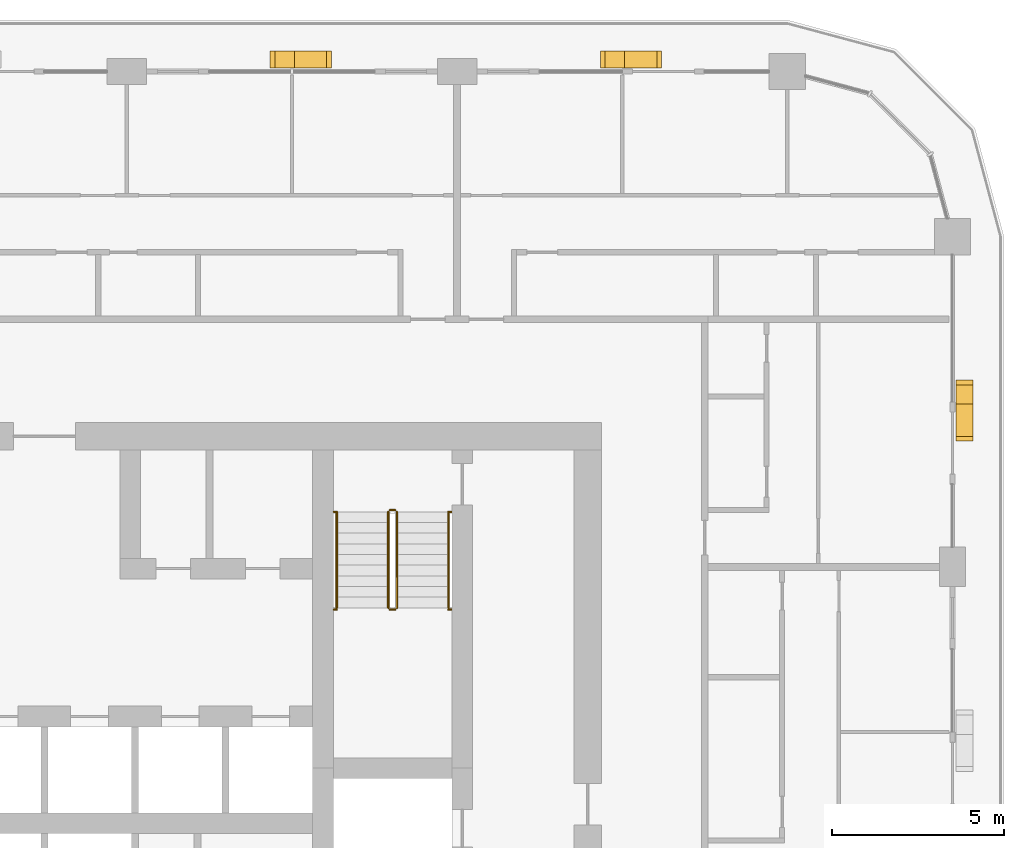
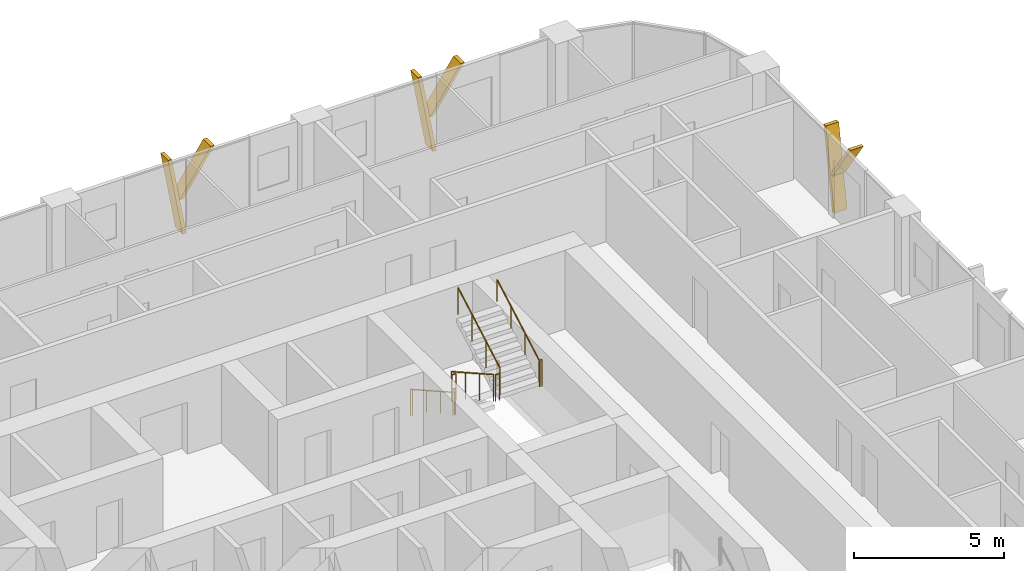
# One storey, part 22 of 22: 10 railings, 6 shading devices.
"""IFC4 building model written with IfcOpenShell, lengths in metres."""

from ifc_helpers import new_model, si_unit, direction, frame, origin, origin_2d, place, context, subcontext, project, spatial, polyline, circle, outline, extrude, material, type_object, element, save


model = new_model("IFC4")

# Units and contexts
model_context = context("Model", 3, precision=1e-05, world=origin(), true_north=direction((0.0, 1.0)))
body_context = subcontext(model_context, "Body", "Model", "MODEL_VIEW")
ifc_project = project(units=[si_unit("LENGTHUNIT", "METRE"), si_unit("AREAUNIT", "SQUARE_METRE"), si_unit("VOLUMEUNIT", "CUBIC_METRE"), si_unit("PLANEANGLEUNIT", "RADIAN"), si_unit("MASSUNIT", "GRAM", prefix="KILO")], contexts=[model_context])

# Site, building, storey
site_placement = place(None, origin())
site = spatial("IfcSite", under=ifc_project, at=site_placement, CompositionType="ELEMENT")
building_placement = place(site_placement, origin())
building = spatial("IfcBuilding", under=site, at=building_placement, Name="Madar Terraces", CompositionType="ELEMENT")
storey_placement = place(building_placement, frame((0.0, 0.0, 156.0)))
storey = spatial("IfcBuildingStorey", under=building, at=storey_placement, Name="L40", CompositionType="ELEMENT", Elevation=156.0)

# Shading devices
ifc_material_1 = material(Name="Aluminium, black anodised", Category="aluminium")
shading_device_type = type_object("IfcShadingDeviceType", Name="Facade fin blade 140 x 500", PredefinedType="USERDEFINED", material=ifc_material_1)
shading_device_1_placement = place(storey_placement, frame((57.949951171875, 38.330078125, 0.0), z_axis=(0.0, 0.0, 1.0), x_axis=(0.0, 1.0, 0.0)))
element("IfcShadingDevice", 1, at=shading_device_1_placement, inside=storey, type_object=shading_device_type, Name="FIN L40 E4", ObjectType="FIN", PredefinedType="USERDEFINED", context=body_context, shape_type="SweptSolid", body=[
    extrude(outline(polyline([(0.0, 0.0), (0.139892578125, 0.0), (0.704345703125, 3.199951171875), (0.564208984375, 3.199951171875), (0.0, 0.0)])), frame((0.0, 0.25, 0.0), z_axis=(0.0, -1.0, 0.0), x_axis=(1.0, 0.0, 0.0)), (0.0, 0.0, 1.0), 0.5),
])
shading_device_2_placement = place(storey_placement, frame((57.949951171875, 38.44384765625, 1.43994140625), z_axis=(0.0, 0.0, 1.0), x_axis=(0.0, 1.0, 0.0)))
element("IfcShadingDevice", 2, at=shading_device_2_placement, inside=storey, type_object=shading_device_type, Name="FIN L40 E4 branch", ObjectType="FIN", PredefinedType="USERDEFINED", context=body_context, shape_type="SweptSolid", body=[
    extrude(outline(polyline([(0.0, 0.0), (0.14013671875, 0.0), (-1.049560546875, 1.760009765625), (-1.189697265625, 1.760009765625), (0.0, 0.0)])), frame((0.0, 0.25, 0.0), z_axis=(0.0, -1.0, 0.0), x_axis=(1.0, 0.0, 0.0)), (0.0, 0.0, 1.0), 0.5),
])
shading_device_3_placement = place(storey_placement, frame((48.070068359375, 48.35009765625, 0.0), z_axis=(0.0, 0.0, 1.0), x_axis=(-1.0, 0.0, 0.0)))
element("IfcShadingDevice", 3, at=shading_device_3_placement, inside=storey, type_object=shading_device_type, Name="FIN L40 N1", ObjectType="FIN", PredefinedType="USERDEFINED", context=body_context, shape_type="SweptSolid", body=[
    extrude(outline(polyline([(0.0, 0.0), (0.14013671875, 0.0), (0.704345703125, 3.199951171875), (0.564208984375, 3.199951171875), (0.0, 0.0)])), frame((0.0, 0.25, 0.0), z_axis=(0.0, -1.0, 0.0), x_axis=(1.0, 0.0, 0.0)), (0.0, 0.0, 1.0), 0.5),
])
shading_device_4_placement = place(storey_placement, frame((47.9560546875, 48.35009765625, 1.43994140625), z_axis=(0.0, 0.0, 1.0), x_axis=(-1.0, 0.0, 0.0)))
element("IfcShadingDevice", 4, at=shading_device_4_placement, inside=storey, type_object=shading_device_type, Name="FIN L40 N1 branch", ObjectType="FIN", PredefinedType="USERDEFINED", context=body_context, shape_type="SweptSolid", body=[
    extrude(outline(polyline([(0.0, 0.0), (0.139892578125, 0.0), (-1.049560546875, 1.760009765625), (-1.189697265625, 1.760009765625), (0.0, 0.0)])), frame((0.0, 0.25, 0.0), z_axis=(0.0, -1.0, 0.0), x_axis=(1.0, 0.0, 0.0)), (0.0, 0.0, 1.0), 0.5),
])
shading_device_5_placement = place(storey_placement, frame((38.469970703125, 48.35009765625, 0.0), z_axis=(0.0, 0.0, 1.0), x_axis=(-1.0, 0.0, 0.0)))
element("IfcShadingDevice", 5, at=shading_device_5_placement, inside=storey, type_object=shading_device_type, Name="FIN L40 N2", ObjectType="FIN", PredefinedType="USERDEFINED", context=body_context, shape_type="SweptSolid", body=[
    extrude(outline(polyline([(0.0, 0.0), (0.139892578125, 0.0), (0.704345703125, 3.199951171875), (0.564208984375, 3.199951171875), (0.0, 0.0)])), frame((0.0, 0.25, 0.0), z_axis=(0.0, -1.0, 0.0), x_axis=(1.0, 0.0, 0.0)), (0.0, 0.0, 1.0), 0.5),
])
shading_device_6_placement = place(storey_placement, frame((38.356201171875, 48.35009765625, 1.43994140625), z_axis=(0.0, 0.0, 1.0), x_axis=(-1.0, 0.0, 0.0)))
element("IfcShadingDevice", 6, at=shading_device_6_placement, inside=storey, type_object=shading_device_type, Name="FIN L40 N2 branch", ObjectType="FIN", PredefinedType="USERDEFINED", context=body_context, shape_type="SweptSolid", body=[
    extrude(outline(polyline([(0.0, 0.0), (0.14013671875, 0.0), (-1.049560546875, 1.760009765625), (-1.189697265625, 1.760009765625), (0.0, 0.0)])), frame((0.0, 0.25, 0.0), z_axis=(0.0, -1.0, 0.0), x_axis=(1.0, 0.0, 0.0)), (0.0, 0.0, 1.0), 0.5),
])

# Railings
ifc_material_2 = material(Name="Stainless steel railing", Category="steel")
railing_type_1 = type_object("IfcRailingType", Name="Stair guard 1100", PredefinedType="GUARDRAIL", material=ifc_material_2)
railing_1_placement = place(storey_placement, frame((41.199951171875, 35.199951171875, 0.175048828125)))
element("IfcRailing", 7, at=railing_1_placement, inside=storey, type_object=railing_type_1, Name="L40 ST2 stair guard 1", PredefinedType="GUARDRAIL", context=body_context, shape_type="SweptSolid", body=[
    extrude(circle(Radius=0.02392578125, at=origin_2d()), frame((0.0, 0.0, 1.076171875), z_axis=(0.0, -0.870833779661, 0.491577591232), x_axis=(1.0, 0.0, 0.0)), (0.0, 0.0, 1.0), 3.203857421875),
    extrude(circle(Radius=0.02099609375, at=origin_2d()), origin(), (0.0, 0.0, 1.0), 1.052001953125),
    extrude(circle(Radius=0.02099609375, at=origin_2d()), frame((0.0, -0.929931640625, 0.52490234375)), (0.0, 0.0, 1.0), 1.052001953125),
    extrude(circle(Radius=0.02099609375, at=origin_2d()), frame((0.0, -1.860107421875, 1.050048828125)), (0.0, 0.0, 1.0), 1.052001953125),
    extrude(circle(Radius=0.02099609375, at=origin_2d()), frame((0.0, -2.7900390625, 1.574951171875)), (0.0, 0.0, 1.0), 1.052001953125),
])
railing_2_placement = place(storey_placement, frame((41.25, 32.360107421875, 1.75)))
element("IfcRailing", 8, at=railing_2_placement, inside=storey, type_object=railing_type_1, Name="L40 ST2 stair guard 2", PredefinedType="GUARDRAIL", context=body_context, shape_type="SweptSolid", body=[
    extrude(circle(Radius=0.02392578125, at=origin_2d()), frame((0.0, 0.0, 1.076171875), z_axis=(1.0, 0.0, 0.0), x_axis=(0.0, 1.0, 0.0)), (0.0, 0.0, 1.0), 0.14990234375),
    extrude(circle(Radius=0.02099609375, at=origin_2d()), origin(), (0.0, 0.0, 1.0), 1.052001953125),
    extrude(circle(Radius=0.02099609375, at=origin_2d()), frame((0.14990234375, 0.0, 0.0)), (0.0, 0.0, 1.0), 1.052001953125),
])
railing_3_placement = place(storey_placement, frame((41.449951171875, 32.409912109375, 1.925048828125)))
element("IfcRailing", 9, at=railing_3_placement, inside=storey, type_object=railing_type_1, Name="L40 ST2 stair guard 3", PredefinedType="GUARDRAIL", context=body_context, shape_type="SweptSolid", body=[
    extrude(circle(Radius=0.02392578125, at=origin_2d()), frame((0.0, 0.0, 1.076171875), z_axis=(0.0, 0.870833779661, 0.491577591232), x_axis=(-1.0, 0.0, 0.0)), (0.0, 0.0, 1.0), 3.203857421875),
    extrude(circle(Radius=0.02099609375, at=origin_2d()), origin(), (0.0, 0.0, 1.0), 1.052001953125),
    extrude(circle(Radius=0.02099609375, at=origin_2d()), frame((0.0, 0.929931640625, 0.52490234375)), (0.0, 0.0, 1.0), 1.052001953125),
    extrude(circle(Radius=0.02099609375, at=origin_2d()), frame((0.0, 1.860107421875, 1.050048828125)), (0.0, 0.0, 1.0), 1.052001953125),
    extrude(circle(Radius=0.02099609375, at=origin_2d()), frame((0.0, 2.7900390625, 1.574951171875)), (0.0, 0.0, 1.0), 1.052001953125),
])
railing_4_placement = place(storey_placement, frame((41.25, 35.25, 0.0)))
element("IfcRailing", 10, at=railing_4_placement, inside=storey, type_object=railing_type_1, Name="L40 ST2 stair guard 4", PredefinedType="GUARDRAIL", context=body_context, shape_type="SweptSolid", body=[
    extrude(circle(Radius=0.02392578125, at=origin_2d()), frame((0.0, 0.0, 1.076171875), z_axis=(1.0, 0.0, 0.0), x_axis=(0.0, 1.0, 0.0)), (0.0, 0.0, 1.0), 0.14990234375),
    extrude(circle(Radius=0.02099609375, at=origin_2d()), origin(), (0.0, 0.0, 1.0), 1.052001953125),
    extrude(circle(Radius=0.02099609375, at=origin_2d()), frame((0.14990234375, 0.0, 0.0)), (0.0, 0.0, 1.0), 1.052001953125),
])
railing_5_placement = place(storey_placement, frame((39.6201171875, 32.360107421875, 1.75)))
element("IfcRailing", 11, at=railing_5_placement, inside=storey, type_object=railing_type_1, Name="L40 stair guard seat 1", PredefinedType="GUARDRAIL", context=body_context, shape_type="SweptSolid", body=[
    extrude(circle(Radius=0.02392578125, at=origin_2d()), frame((0.0, 0.0, 1.076171875), z_axis=(1.0, 0.0, 0.0), x_axis=(0.0, 1.0, 0.0)), (0.0, 0.0, 1.0), 0.079833984375),
    extrude(circle(Radius=0.02099609375, at=origin_2d()), origin(), (0.0, 0.0, 1.0), 1.052001953125),
    extrude(circle(Radius=0.02099609375, at=origin_2d()), frame((0.079833984375, 0.0, 0.0)), (0.0, 0.0, 1.0), 1.052001953125),
])
railing_6_placement = place(storey_placement, frame((42.949951171875, 32.360107421875, 1.75)))
element("IfcRailing", 12, at=railing_6_placement, inside=storey, type_object=railing_type_1, Name="L40 stair guard seat 2", PredefinedType="GUARDRAIL", context=body_context, shape_type="SweptSolid", body=[
    extrude(circle(Radius=0.02392578125, at=origin_2d()), frame((0.0, 0.0, 1.076171875), z_axis=(1.0, 0.0, 0.0), x_axis=(0.0, 1.0, 0.0)), (0.0, 0.0, 1.0), 0.080078125),
    extrude(circle(Radius=0.02099609375, at=origin_2d()), origin(), (0.0, 0.0, 1.0), 1.052001953125),
    extrude(circle(Radius=0.02099609375, at=origin_2d()), frame((0.080078125, 0.0, 0.0)), (0.0, 0.0, 1.0), 1.052001953125),
])
railing_7_placement = place(storey_placement, frame((39.6201171875, 35.199951171875, 0.0)))
element("IfcRailing", 13, at=railing_7_placement, inside=storey, type_object=railing_type_1, Name="L40 stair guard floor 1", PredefinedType="GUARDRAIL", context=body_context, shape_type="SweptSolid", body=[
    extrude(circle(Radius=0.02392578125, at=origin_2d()), frame((0.0, 0.0, 1.076171875), z_axis=(1.0, 0.0, 0.0), x_axis=(0.0, 1.0, 0.0)), (0.0, 0.0, 1.0), 0.079833984375),
    extrude(circle(Radius=0.02099609375, at=origin_2d()), origin(), (0.0, 0.0, 1.0), 1.052001953125),
    extrude(circle(Radius=0.02099609375, at=origin_2d()), frame((0.079833984375, 0.0, 0.0)), (0.0, 0.0, 1.0), 1.052001953125),
])
railing_8_placement = place(storey_placement, frame((42.949951171875, 35.199951171875, 0.0)))
element("IfcRailing", 14, at=railing_8_placement, inside=storey, type_object=railing_type_1, Name="L40 stair guard floor 2", PredefinedType="GUARDRAIL", context=body_context, shape_type="SweptSolid", body=[
    extrude(circle(Radius=0.02392578125, at=origin_2d()), frame((0.0, 0.0, 1.076171875), z_axis=(1.0, 0.0, 0.0), x_axis=(0.0, 1.0, 0.0)), (0.0, 0.0, 1.0), 0.080078125),
    extrude(circle(Radius=0.02099609375, at=origin_2d()), origin(), (0.0, 0.0, 1.0), 1.052001953125),
    extrude(circle(Radius=0.02099609375, at=origin_2d()), frame((0.080078125, 0.0, 0.0)), (0.0, 0.0, 1.0), 1.052001953125),
])
ifc_material_3 = material(Name="Stainless steel railing", Category="steel")
railing_type_2 = type_object("IfcRailingType", Name="Stair handrail 900", PredefinedType="HANDRAIL", material=ifc_material_3)
railing_9_placement = place(storey_placement, frame((39.699951171875, 35.199951171875, 0.175048828125)))
element("IfcRailing", 15, at=railing_9_placement, inside=storey, type_object=railing_type_2, Name="L40 ST2 stair handrail 1", PredefinedType="HANDRAIL", context=body_context, shape_type="SweptSolid", body=[
    extrude(circle(Radius=0.02392578125, at=origin_2d()), frame((0.0, 0.0, 0.8759765625), z_axis=(0.0, -0.870833779661, 0.491577591232), x_axis=(1.0, 0.0, 0.0)), (0.0, 0.0, 1.0), 3.203857421875),
    extrude(circle(Radius=0.02099609375, at=origin_2d()), origin(), (0.0, 0.0, 1.0), 0.851806640625),
    extrude(circle(Radius=0.02099609375, at=origin_2d()), frame((0.0, -0.929931640625, 0.52490234375)), (0.0, 0.0, 1.0), 0.851806640625),
    extrude(circle(Radius=0.02099609375, at=origin_2d()), frame((0.0, -1.860107421875, 1.050048828125)), (0.0, 0.0, 1.0), 0.851806640625),
    extrude(circle(Radius=0.02099609375, at=origin_2d()), frame((0.0, -2.7900390625, 1.574951171875)), (0.0, 0.0, 1.0), 0.851806640625),
])
railing_10_placement = place(storey_placement, frame((42.949951171875, 32.409912109375, 1.925048828125)))
element("IfcRailing", 16, at=railing_10_placement, inside=storey, type_object=railing_type_2, Name="L40 ST2 stair handrail 2", PredefinedType="HANDRAIL", context=body_context, shape_type="SweptSolid", body=[
    extrude(circle(Radius=0.02392578125, at=origin_2d()), frame((0.0, 0.0, 0.8759765625), z_axis=(0.0, 0.870833779661, 0.491577591232), x_axis=(-1.0, 0.0, 0.0)), (0.0, 0.0, 1.0), 3.203857421875),
    extrude(circle(Radius=0.02099609375, at=origin_2d()), origin(), (0.0, 0.0, 1.0), 0.851806640625),
    extrude(circle(Radius=0.02099609375, at=origin_2d()), frame((0.0, 0.929931640625, 0.52490234375)), (0.0, 0.0, 1.0), 0.851806640625),
    extrude(circle(Radius=0.02099609375, at=origin_2d()), frame((0.0, 1.860107421875, 1.050048828125)), (0.0, 0.0, 1.0), 0.851806640625),
    extrude(circle(Radius=0.02099609375, at=origin_2d()), frame((0.0, 2.7900390625, 1.574951171875)), (0.0, 0.0, 1.0), 0.851806640625),
])

save(model, "model.ifc")
